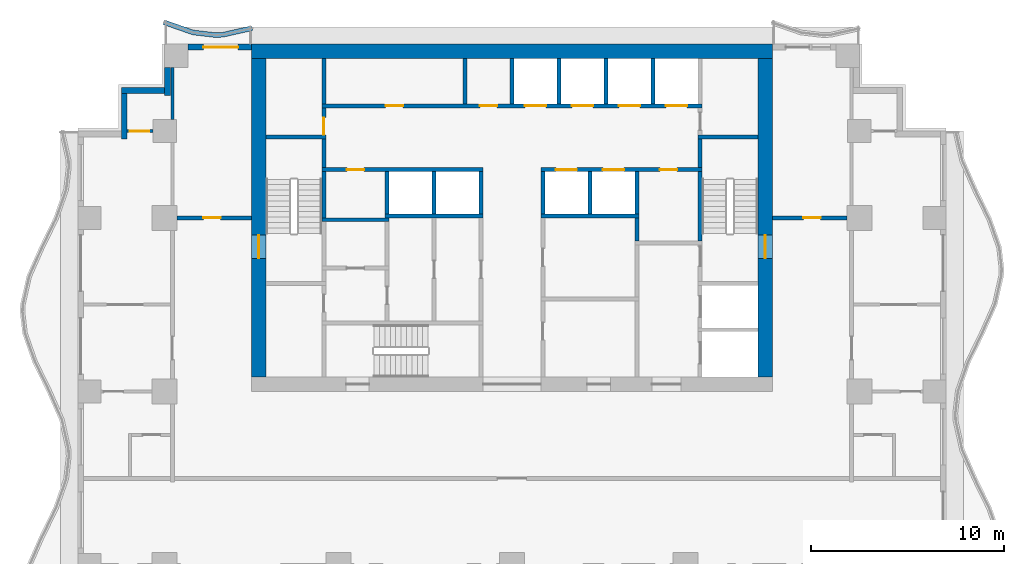
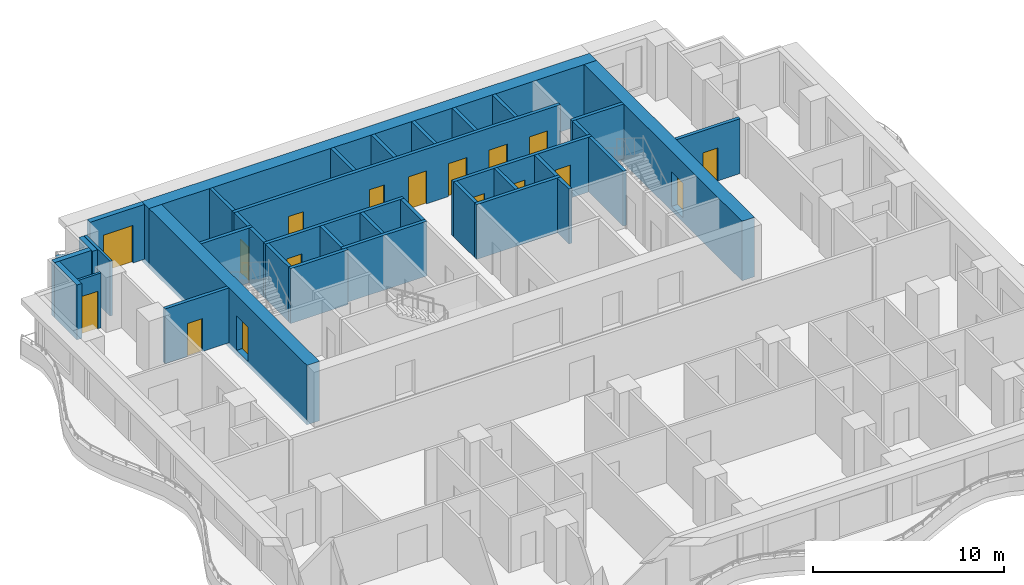
# One storey, part 5 of 10: 38 walls, 17 doors, 17 openings.
"""IFC4 building model written with IfcOpenShell, lengths in metres."""

from ifc_helpers import new_model, si_unit, direction, frame, frame_2d, origin, place, context, subcontext, project, spatial, polyline, rectangle, outline, extrude, material, layer, layer_set, type_object, element, fill, save


model = new_model("IFC4")

# Units and contexts
model_context = context("Model", 3, precision=1e-05, world=origin(), true_north=direction((0.0, 1.0)))
body_context = subcontext(model_context, "Body", "Model", "MODEL_VIEW")
ifc_project = project(units=[si_unit("LENGTHUNIT", "METRE"), si_unit("AREAUNIT", "SQUARE_METRE"), si_unit("VOLUMEUNIT", "CUBIC_METRE"), si_unit("PLANEANGLEUNIT", "RADIAN"), si_unit("MASSUNIT", "GRAM", prefix="KILO")], contexts=[model_context])

# Site, building, storey
site_placement = place(None, origin())
site = spatial("IfcSite", under=ifc_project, at=site_placement, CompositionType="ELEMENT")
building_placement = place(site_placement, origin())
building = spatial("IfcBuilding", under=site, at=building_placement, Name="Orbiselva Terraces", CompositionType="ELEMENT")
storey_placement = place(building_placement, frame((0.0, 0.0, 132.6)))
storey = spatial("IfcBuildingStorey", under=building, at=storey_placement, Name="L33", CompositionType="ELEMENT", Elevation=132.6)

# Wall, opening, door
ifc_material_1 = material(Name="Concrete C80/95", Category="concrete")
ifc_layer_1 = layer(ifc_material_1, 0.75)
ifc_layer_set_1 = layer_set([ifc_layer_1], Name="Concrete C80/95")
wall_type_1 = type_object("IfcWallType", Name="CORE WALL 750", PredefinedType="SHEAR", material=ifc_layer_set_1)
wall_1_placement = place(storey_placement, frame((13.125, 5.25, -0.3), z_axis=(0.0, 0.0, 1.0), x_axis=(0.0, 1.0, 0.0)))
wall_1 = element("IfcWall", 1, at=wall_1_placement, inside=storey, type_object=wall_type_1, Name="Core wall L33 east", PredefinedType="SHEAR", context=body_context, shape_type="SweptSolid", body=[
    extrude(rectangle(XDim=16.5, YDim=0.75, at=frame_2d((8.25, 0.0))), origin(), (0.0, 0.0, 1.0), 3.8),
])
opening_1_placement = place(wall_1_placement, frame((6.15, 0.0, 0.3)))
opening_1 = element("IfcOpeningElement", 2, at=opening_1_placement, cuts=wall_1, Name="Opening DS1200", PredefinedType="OPENING", context=body_context, shape_type="SweptSolid", body=[
    extrude(rectangle(XDim=1.2, YDim=2.2, at=frame_2d((0.6, 1.1))), frame((0.0, 0.385, 0.0), z_axis=(0.0, -1.0, 0.0), x_axis=(1.0, 0.0, 0.0)), (0.0, 0.0, 1.0), 0.77),
])
ifc_material_2 = material(Name="Steel fire door", Category="steel")
door_type_1 = type_object("IfcDoorType", Name="STAIR DOOR 1200", OperationType="NOTDEFINED", PredefinedType="DOOR", material=ifc_material_2)
door_1_placement = place(opening_1_placement, frame((1.2, 0.0, 0.0), z_axis=(0.0, 0.0, 1.0), x_axis=(-1.0, 0.0, 0.0)))
door_1 = element("IfcDoor", 3, at=door_1_placement, inside=storey, type_object=door_type_1, Name="L33 EXIT STAIR S2 door", OperationType="SINGLE_SWING_LEFT", OverallHeight=2.2, OverallWidth=1.2, PredefinedType="DOOR", context=body_context, shape_type="SweptSolid", body=[
    extrude(rectangle(XDim=1.2, YDim=2.2, at=frame_2d((0.6, 1.1))), frame((0.0, 0.025, 0.0), z_axis=(0.0, -1.0, 0.0), x_axis=(1.0, 0.0, 0.0)), (0.0, 0.0, 1.0), 0.05),
])
fill(opening_1, door_1)

wall_2_placement = place(storey_placement, frame((-13.125, 21.75, -0.3), z_axis=(0.0, 0.0, 1.0), x_axis=(0.0, -1.0, 0.0)))
wall_2 = element("IfcWall", 4, at=wall_2_placement, inside=storey, type_object=wall_type_1, Name="Core wall L33 west", PredefinedType="SHEAR", context=body_context, shape_type="SweptSolid", body=[
    extrude(rectangle(XDim=16.5, YDim=0.75, at=frame_2d((8.25, 0.0))), origin(), (0.0, 0.0, 1.0), 3.8),
])
opening_2_placement = place(wall_2_placement, frame((9.15, 0.0, 0.3)))
opening_2 = element("IfcOpeningElement", 5, at=opening_2_placement, cuts=wall_2, Name="Opening DS1200", PredefinedType="OPENING", context=body_context, shape_type="SweptSolid", body=[
    extrude(rectangle(XDim=1.2, YDim=2.2, at=frame_2d((0.6, 1.1))), frame((0.0, 0.385, 0.0), z_axis=(0.0, -1.0, 0.0), x_axis=(1.0, 0.0, 0.0)), (0.0, 0.0, 1.0), 0.77),
])
door_2_placement = place(opening_2_placement, frame((1.2, 0.0, 0.0), z_axis=(0.0, 0.0, 1.0), x_axis=(-1.0, 0.0, 0.0)))
door_2 = element("IfcDoor", 6, at=door_2_placement, inside=storey, type_object=door_type_1, Name="L33 EXIT STAIR S1 door", OperationType="SINGLE_SWING_RIGHT", OverallHeight=2.2, OverallWidth=1.2, PredefinedType="DOOR", context=body_context, shape_type="SweptSolid", body=[
    extrude(rectangle(XDim=1.2, YDim=2.2, at=frame_2d((0.6, 1.1))), frame((0.0, 0.025, 0.0), z_axis=(0.0, -1.0, 0.0), x_axis=(1.0, 0.0, 0.0)), (0.0, 0.0, 1.0), 0.05),
])
fill(opening_2, door_2)

# Wall
ifc_layer_2 = layer(ifc_material_1, 0.75)
ifc_layer_set_2 = layer_set([ifc_layer_2], Name="Concrete C80/95")
wall_type_2 = type_object("IfcWallType", Name="CORE WALL 750 EXTERNAL", PredefinedType="SHEAR", material=ifc_layer_set_2)
wall_3_placement = place(storey_placement, frame((13.5, 22.125, -0.3), z_axis=(0.0, 0.0, 1.0), x_axis=(-1.0, 0.0, 0.0)))
element("IfcWall", 7, at=wall_3_placement, inside=storey, type_object=wall_type_2, Name="Core wall L33 north", PredefinedType="SHEAR", context=body_context, shape_type="SweptSolid", body=[
    extrude(rectangle(XDim=27.0, YDim=0.75, at=frame_2d((13.5, 0.0))), origin(), (0.0, 0.0, 1.0), 3.8),
])

# Wall, opening, door
ifc_material_3 = material(Name="Masonry blockwork", Category="masonry")
ifc_layer_3 = layer(ifc_material_3, 0.2)
ifc_layer_set_3 = layer_set([ifc_layer_3], Name="Masonry blockwork")
wall_type_3 = type_object("IfcWallType", Name="CORE-WALL-PARTITION-200", PredefinedType="PARTITIONING", material=ifc_layer_set_3)
wall_4_placement = place(storey_placement, frame((-9.75, 17.8, 0.0), z_axis=(0.0, 0.0, 1.0), x_axis=(0.0, 1.0, 0.0)))
wall_4 = element("IfcWall", 8, at=wall_4_placement, inside=storey, type_object=wall_type_3, Name="L33 core wall 13", PredefinedType="PARTITIONING", context=body_context, shape_type="SweptSolid", body=[
    extrude(rectangle(XDim=1.4, YDim=0.2, at=frame_2d((0.7, 0.0))), origin(), (0.0, 0.0, 1.0), 3.5),
])
opening_3_placement = place(wall_4_placement, origin())
opening_3 = element("IfcOpeningElement", 9, at=opening_3_placement, cuts=wall_4, Name="Opening DR900", PredefinedType="OPENING", context=body_context, shape_type="SweptSolid", body=[
    extrude(rectangle(XDim=0.9, YDim=2.1, at=frame_2d((0.45, 1.05))), frame((0.0, 0.11, 0.0), z_axis=(0.0, -1.0, 0.0), x_axis=(1.0, 0.0, 0.0)), (0.0, 0.0, 1.0), 0.22),
])
door_type_2 = type_object("IfcDoorType", Name="ROOM DOOR 900", OperationType="NOTDEFINED", PredefinedType="DOOR", material=ifc_material_2)
door_3_placement = place(opening_3_placement, origin())
door_3 = element("IfcDoor", 10, at=door_3_placement, inside=storey, type_object=door_type_2, Name="L33 ELECTRICAL RISER ROOM door", OperationType="SINGLE_SWING_LEFT", OverallHeight=2.1, OverallWidth=0.9, PredefinedType="DOOR", context=body_context, shape_type="SweptSolid", body=[
    extrude(rectangle(XDim=0.9, YDim=2.1, at=frame_2d((0.45, 1.05))), frame((0.0, 0.025, 0.0), z_axis=(0.0, -1.0, 0.0), x_axis=(1.0, 0.0, 0.0)), (0.0, 0.0, 1.0), 0.05),
])
fill(opening_3, door_3)

# Walls
for number, where, z_axis, x_axis, name in (
    (11, (-9.75, 19.4, 0.0), (0.0, 0.0, 1.0), (0.0, 1.0, 0.0), "L33 core wall 15"),
    (12, (-2.4375, 19.4, 0.0), (0.0, 0.0, 1.0), (0.0, 1.0, 0.0), "L33 core wall 22"),
):
    element("IfcWall", number, at=place(storey_placement, frame(where, z_axis=z_axis, x_axis=x_axis)), inside=storey, type_object=wall_type_3, Name=name, PredefinedType="PARTITIONING", context=body_context, shape_type="SweptSolid", body=[
        extrude(rectangle(XDim=2.35, YDim=0.2, at=frame_2d((1.175, 0.0))), origin(), (0.0, 0.0, 1.0), 3.5),
    ])
wall_5_placement = place(storey_placement, frame((6.475, 12.3, 0.0), z_axis=(0.0, 0.0, 1.0), x_axis=(0.0, 1.0, 0.0)))
element("IfcWall", 13, at=wall_5_placement, inside=storey, type_object=wall_type_3, Name="L33 core wall 39", PredefinedType="PARTITIONING", context=body_context, shape_type="SweptSolid", body=[
    extrude(rectangle(XDim=1.2, YDim=0.2, at=frame_2d((0.6, 0.0))), origin(), (0.0, 0.0, 1.0), 3.5),
])
ifc_material_4 = material(Name="Concrete C40/50", Category="concrete")
ifc_layer_4 = layer(ifc_material_4, 0.2)
ifc_layer_set_4 = layer_set([ifc_layer_4], Name="Concrete C40/50")
wall_type_4 = type_object("IfcWallType", Name="CORE-WALL-SHAFT-200", PredefinedType="PARTITIONING", material=ifc_layer_set_4)
for number, where, z_axis, x_axis, name in (
    (14, (-6.475, 13.7, 0.0), (0.0, 0.0, 1.0), (0.0, 1.0, 0.0), "L33 core wall 19"),
    (15, (-4.0375, 13.7, 0.0), (0.0, 0.0, 1.0), (0.0, 1.0, 0.0), "L33 core wall 21"),
    (16, (-1.6, 13.7, 0.0), (0.0, 0.0, 1.0), (0.0, 1.0, 0.0), "L33 core wall 25"),
):
    element("IfcWall", number, at=place(storey_placement, frame(where, z_axis=z_axis, x_axis=x_axis)), inside=storey, type_object=wall_type_4, Name=name, PredefinedType="PARTITIONING", context=body_context, shape_type="SweptSolid", body=[
        extrude(rectangle(XDim=2.2, YDim=0.2, at=frame_2d((1.1, 0.0))), origin(), (0.0, 0.0, 1.0), 3.5),
    ])
wall_6_placement = place(storey_placement, frame((0.0, 19.4, 0.0), z_axis=(0.0, 0.0, 1.0), x_axis=(0.0, 1.0, 0.0)))
element("IfcWall", 17, at=wall_6_placement, inside=storey, type_object=wall_type_4, Name="L33 core wall 26", PredefinedType="PARTITIONING", context=body_context, shape_type="SweptSolid", body=[
    extrude(rectangle(XDim=2.35, YDim=0.2, at=frame_2d((1.175, 0.0))), origin(), (0.0, 0.0, 1.0), 3.5),
])
wall_7_placement = place(storey_placement, frame((1.6, 13.7, 0.0), z_axis=(0.0, 0.0, 1.0), x_axis=(0.0, 1.0, 0.0)))
element("IfcWall", 18, at=wall_7_placement, inside=storey, type_object=wall_type_4, Name="L33 core wall 31", PredefinedType="PARTITIONING", context=body_context, shape_type="SweptSolid", body=[
    extrude(rectangle(XDim=2.2, YDim=0.2, at=frame_2d((1.1, 0.0))), origin(), (0.0, 0.0, 1.0), 3.5),
])
wall_8_placement = place(storey_placement, frame((2.4375, 19.4, 0.0), z_axis=(0.0, 0.0, 1.0), x_axis=(0.0, 1.0, 0.0)))
element("IfcWall", 19, at=wall_8_placement, inside=storey, type_object=wall_type_4, Name="L33 core wall 33", PredefinedType="PARTITIONING", context=body_context, shape_type="SweptSolid", body=[
    extrude(rectangle(XDim=2.35, YDim=0.2, at=frame_2d((1.175, 0.0))), origin(), (0.0, 0.0, 1.0), 3.5),
])
wall_9_placement = place(storey_placement, frame((4.0375, 13.7, 0.0), z_axis=(0.0, 0.0, 1.0), x_axis=(0.0, 1.0, 0.0)))
element("IfcWall", 20, at=wall_9_placement, inside=storey, type_object=wall_type_4, Name="L33 core wall 34", PredefinedType="PARTITIONING", context=body_context, shape_type="SweptSolid", body=[
    extrude(rectangle(XDim=2.2, YDim=0.2, at=frame_2d((1.1, 0.0))), origin(), (0.0, 0.0, 1.0), 3.5),
])
wall_10_placement = place(storey_placement, frame((4.875, 19.4, 0.0), z_axis=(0.0, 0.0, 1.0), x_axis=(0.0, 1.0, 0.0)))
element("IfcWall", 21, at=wall_10_placement, inside=storey, type_object=wall_type_4, Name="L33 core wall 35", PredefinedType="PARTITIONING", context=body_context, shape_type="SweptSolid", body=[
    extrude(rectangle(XDim=2.35, YDim=0.2, at=frame_2d((1.175, 0.0))), origin(), (0.0, 0.0, 1.0), 3.5),
])
wall_11_placement = place(storey_placement, frame((6.475, 13.7, 0.0), z_axis=(0.0, 0.0, 1.0), x_axis=(0.0, 1.0, 0.0)))
element("IfcWall", 22, at=wall_11_placement, inside=storey, type_object=wall_type_4, Name="L33 core wall 40", PredefinedType="PARTITIONING", context=body_context, shape_type="SweptSolid", body=[
    extrude(rectangle(XDim=2.2, YDim=0.2, at=frame_2d((1.1, 0.0))), origin(), (0.0, 0.0, 1.0), 3.5),
])
wall_12_placement = place(storey_placement, frame((7.3125, 19.4, 0.0), z_axis=(0.0, 0.0, 1.0), x_axis=(0.0, 1.0, 0.0)))
element("IfcWall", 23, at=wall_12_placement, inside=storey, type_object=wall_type_4, Name="L33 core wall 41", PredefinedType="PARTITIONING", context=body_context, shape_type="SweptSolid", body=[
    extrude(rectangle(XDim=2.35, YDim=0.2, at=frame_2d((1.175, 0.0))), origin(), (0.0, 0.0, 1.0), 3.5),
])
ifc_material_5 = material(Name="Concrete C60/75", Category="concrete")
ifc_layer_5 = layer(ifc_material_5, 0.2)
ifc_layer_set_5 = layer_set([ifc_layer_5], Name="Concrete C60/75")
wall_type_5 = type_object("IfcWallType", Name="CORE-WALL-SHEAR-200", PredefinedType="SHEAR", material=ifc_layer_set_5)
wall_13_placement = place(storey_placement, frame((-12.75, 17.7, 0.0), z_axis=(0.0, 0.0, 1.0), x_axis=(1.0, 0.0, 0.0)))
element("IfcWall", 24, at=wall_13_placement, inside=storey, type_object=wall_type_5, Name="L33 core wall 02", PredefinedType="SHEAR", context=body_context, shape_type="SweptSolid", body=[
    extrude(rectangle(XDim=3.1, YDim=0.2, at=frame_2d((1.55, 0.0))), origin(), (0.0, 0.0, 1.0), 3.5),
])
wall_14_placement = place(storey_placement, frame((-9.85, 13.4, 0.0), z_axis=(0.0, 0.0, 1.0), x_axis=(1.0, 0.0, 0.0)))
element("IfcWall", 25, at=wall_14_placement, inside=storey, type_object=wall_type_5, Name="L33 core wall 09", PredefinedType="SHEAR", context=body_context, shape_type="SweptSolid", body=[
    extrude(rectangle(XDim=3.475, YDim=0.2, at=frame_2d((1.7375, 0.0))), origin(), (0.0, 0.0, 1.0), 3.5),
])
wall_15_placement = place(storey_placement, frame((-9.75, 13.5, 0.0), z_axis=(0.0, 0.0, 1.0), x_axis=(0.0, 1.0, 0.0)))
element("IfcWall", 26, at=wall_15_placement, inside=storey, type_object=wall_type_5, Name="L33 core wall 10", PredefinedType="SHEAR", context=body_context, shape_type="SweptSolid", body=[
    extrude(rectangle(XDim=2.4, YDim=0.2, at=frame_2d((1.2, 0.0))), origin(), (0.0, 0.0, 1.0), 3.5),
])

# Wall, opening, door
wall_16_placement = place(storey_placement, frame((-1.5, 16.0, 0.0), z_axis=(0.0, 0.0, 1.0), x_axis=(-1.0, 0.0, 0.0)))
wall_16 = element("IfcWall", 27, at=wall_16_placement, inside=storey, type_object=wall_type_5, Name="L33 core wall 11", PredefinedType="SHEAR", context=body_context, shape_type="SweptSolid", body=[
    extrude(rectangle(XDim=8.35, YDim=0.2, at=frame_2d((4.175, 0.0))), origin(), (0.0, 0.0, 1.0), 3.5),
])
opening_4_placement = place(wall_16_placement, frame((6.1625, 0.0, 0.0)))
opening_4 = element("IfcOpeningElement", 28, at=opening_4_placement, cuts=wall_16, Name="Opening DR900", PredefinedType="OPENING", context=body_context, shape_type="SweptSolid", body=[
    extrude(rectangle(XDim=0.9, YDim=2.1, at=frame_2d((0.45, 1.05))), frame((0.0, 0.11, 0.0), z_axis=(0.0, -1.0, 0.0), x_axis=(1.0, 0.0, 0.0)), (0.0, 0.0, 1.0), 0.22),
])
door_4_placement = place(opening_4_placement, origin())
door_4 = element("IfcDoor", 29, at=door_4_placement, inside=storey, type_object=door_type_2, Name="L33 STAFF PANTRY door", OperationType="SINGLE_SWING_RIGHT", OverallHeight=2.1, OverallWidth=0.9, PredefinedType="DOOR", context=body_context, shape_type="SweptSolid", body=[
    extrude(rectangle(XDim=0.9, YDim=2.1, at=frame_2d((0.45, 1.05))), frame((0.0, 0.025, 0.0), z_axis=(0.0, -1.0, 0.0), x_axis=(1.0, 0.0, 0.0)), (0.0, 0.0, 1.0), 0.05),
])
fill(opening_4, door_4)

# Wall
wall_17_placement = place(storey_placement, frame((-9.75, 16.1, 0.0), z_axis=(0.0, 0.0, 1.0), x_axis=(0.0, 1.0, 0.0)))
element("IfcWall", 30, at=wall_17_placement, inside=storey, type_object=wall_type_5, Name="L33 core wall 12", PredefinedType="SHEAR", context=body_context, shape_type="SweptSolid", body=[
    extrude(rectangle(XDim=1.5, YDim=0.2, at=frame_2d((0.75, 0.0))), origin(), (0.0, 0.0, 1.0), 3.5),
])

# Wall, openings, doors
wall_18_placement = place(storey_placement, frame((-9.85, 19.3, 0.0), z_axis=(0.0, 0.0, 1.0), x_axis=(1.0, 0.0, 0.0)))
wall_18 = element("IfcWall", 31, at=wall_18_placement, inside=storey, type_object=wall_type_5, Name="L33 core wall 14", PredefinedType="SHEAR", context=body_context, shape_type="SweptSolid", body=[
    extrude(rectangle(XDim=19.7, YDim=0.2, at=frame_2d((9.85, 0.0))), origin(), (0.0, 0.0, 1.0), 3.5),
])
opening_5_placement = place(wall_18_placement, frame((10.51875, 0.0, 0.0)))
opening_5 = element("IfcOpeningElement", 32, at=opening_5_placement, cuts=wall_18, Name="Opening LD-HR1", PredefinedType="OPENING", context=body_context, shape_type="SweptSolid", body=[
    extrude(rectangle(XDim=1.1, YDim=2.1, at=frame_2d((0.55, 1.05))), frame((0.0, 0.11, 0.0), z_axis=(0.0, -1.0, 0.0), x_axis=(1.0, 0.0, 0.0)), (0.0, 0.0, 1.0), 0.22),
])
opening_6_placement = place(wall_18_placement, frame((12.95625, 0.0, 0.0)))
opening_6 = element("IfcOpeningElement", 33, at=opening_6_placement, cuts=wall_18, Name="Opening LD-HR2", PredefinedType="OPENING", context=body_context, shape_type="SweptSolid", body=[
    extrude(rectangle(XDim=1.1, YDim=2.1, at=frame_2d((0.55, 1.05))), frame((0.0, 0.11, 0.0), z_axis=(0.0, -1.0, 0.0), x_axis=(1.0, 0.0, 0.0)), (0.0, 0.0, 1.0), 0.22),
])
opening_7_placement = place(wall_18_placement, frame((15.39375, 0.0, 0.0)))
opening_7 = element("IfcOpeningElement", 34, at=opening_7_placement, cuts=wall_18, Name="Opening LD-HR3", PredefinedType="OPENING", context=body_context, shape_type="SweptSolid", body=[
    extrude(rectangle(XDim=1.1, YDim=2.1, at=frame_2d((0.55, 1.05))), frame((0.0, 0.11, 0.0), z_axis=(0.0, -1.0, 0.0), x_axis=(1.0, 0.0, 0.0)), (0.0, 0.0, 1.0), 0.22),
])
opening_8_placement = place(wall_18_placement, frame((17.83125, 0.0, 0.0)))
opening_8 = element("IfcOpeningElement", 35, at=opening_8_placement, cuts=wall_18, Name="Opening LD-HR4", PredefinedType="OPENING", context=body_context, shape_type="SweptSolid", body=[
    extrude(rectangle(XDim=1.1, YDim=2.1, at=frame_2d((0.55, 1.05))), frame((0.0, 0.11, 0.0), z_axis=(0.0, -1.0, 0.0), x_axis=(1.0, 0.0, 0.0)), (0.0, 0.0, 1.0), 0.22),
])
opening_9_placement = place(wall_18_placement, frame((3.3062, 0.0, 0.0)))
opening_9 = element("IfcOpeningElement", 36, at=opening_9_placement, cuts=wall_18, Name="Opening DR900", PredefinedType="OPENING", context=body_context, shape_type="SweptSolid", body=[
    extrude(rectangle(XDim=0.9, YDim=2.1, at=frame_2d((0.45, 1.05))), frame((0.0, 0.11, 0.0), z_axis=(0.0, -1.0, 0.0), x_axis=(1.0, 0.0, 0.0)), (0.0, 0.0, 1.0), 0.22),
])
opening_10_placement = place(wall_18_placement, frame((8.1812, 0.0, 0.0)))
opening_10 = element("IfcOpeningElement", 37, at=opening_10_placement, cuts=wall_18, Name="Opening DR900", PredefinedType="OPENING", context=body_context, shape_type="SweptSolid", body=[
    extrude(rectangle(XDim=0.9, YDim=2.1, at=frame_2d((0.45, 1.05))), frame((0.0, 0.11, 0.0), z_axis=(0.0, -1.0, 0.0), x_axis=(1.0, 0.0, 0.0)), (0.0, 0.0, 1.0), 0.22),
])
ifc_material_6 = material(Name="Stainless steel landing door", Category="steel")
door_type_3 = type_object("IfcDoorType", Name="LANDING DOOR 1100", OperationType="SLIDING_TO_LEFT", PredefinedType="DOOR", material=ifc_material_6)
door_5_placement = place(opening_5_placement, origin())
door_5 = element("IfcDoor", 38, at=door_5_placement, inside=storey, type_object=door_type_3, Name="L33 landing door HR1", OperationType="SLIDING_TO_RIGHT", OverallHeight=2.1, OverallWidth=1.1, PredefinedType="DOOR", context=body_context, shape_type="SweptSolid", body=[
    extrude(rectangle(XDim=1.1, YDim=2.1, at=frame_2d((0.55, 1.05))), frame((0.0, 0.025, 0.0), z_axis=(0.0, -1.0, 0.0), x_axis=(1.0, 0.0, 0.0)), (0.0, 0.0, 1.0), 0.05),
])
fill(opening_5, door_5)
door_6_placement = place(opening_6_placement, origin())
door_6 = element("IfcDoor", 39, at=door_6_placement, inside=storey, type_object=door_type_3, Name="L33 landing door HR2", OperationType="SLIDING_TO_RIGHT", OverallHeight=2.1, OverallWidth=1.1, PredefinedType="DOOR", context=body_context, shape_type="SweptSolid", body=[
    extrude(rectangle(XDim=1.1, YDim=2.1, at=frame_2d((0.55, 1.05))), frame((0.0, 0.025, 0.0), z_axis=(0.0, -1.0, 0.0), x_axis=(1.0, 0.0, 0.0)), (0.0, 0.0, 1.0), 0.05),
])
fill(opening_6, door_6)
door_7_placement = place(opening_7_placement, origin())
door_7 = element("IfcDoor", 40, at=door_7_placement, inside=storey, type_object=door_type_3, Name="L33 landing door HR3", OperationType="SLIDING_TO_RIGHT", OverallHeight=2.1, OverallWidth=1.1, PredefinedType="DOOR", context=body_context, shape_type="SweptSolid", body=[
    extrude(rectangle(XDim=1.1, YDim=2.1, at=frame_2d((0.55, 1.05))), frame((0.0, 0.025, 0.0), z_axis=(0.0, -1.0, 0.0), x_axis=(1.0, 0.0, 0.0)), (0.0, 0.0, 1.0), 0.05),
])
fill(opening_7, door_7)
door_8_placement = place(opening_8_placement, origin())
door_8 = element("IfcDoor", 41, at=door_8_placement, inside=storey, type_object=door_type_3, Name="L33 landing door HR4", OperationType="SLIDING_TO_RIGHT", OverallHeight=2.1, OverallWidth=1.1, PredefinedType="DOOR", context=body_context, shape_type="SweptSolid", body=[
    extrude(rectangle(XDim=1.1, YDim=2.1, at=frame_2d((0.55, 1.05))), frame((0.0, 0.025, 0.0), z_axis=(0.0, -1.0, 0.0), x_axis=(1.0, 0.0, 0.0)), (0.0, 0.0, 1.0), 0.05),
])
fill(opening_8, door_8)
door_9_placement = place(opening_9_placement, origin())
door_9 = element("IfcDoor", 42, at=door_9_placement, inside=storey, type_object=door_type_2, Name="L33 SERVICE LOUNGE door", OperationType="SINGLE_SWING_LEFT", OverallHeight=2.1, OverallWidth=0.9, PredefinedType="DOOR", context=body_context, shape_type="SweptSolid", body=[
    extrude(rectangle(XDim=0.9, YDim=2.1, at=frame_2d((0.45, 1.05))), frame((0.0, 0.025, 0.0), z_axis=(0.0, -1.0, 0.0), x_axis=(1.0, 0.0, 0.0)), (0.0, 0.0, 1.0), 0.05),
])
fill(opening_9, door_9)
door_10_placement = place(opening_10_placement, origin())
door_10 = element("IfcDoor", 43, at=door_10_placement, inside=storey, type_object=door_type_2, Name="L33 STAFF WC door", OperationType="SINGLE_SWING_LEFT", OverallHeight=2.1, OverallWidth=0.9, PredefinedType="DOOR", context=body_context, shape_type="SweptSolid", body=[
    extrude(rectangle(XDim=0.9, YDim=2.1, at=frame_2d((0.45, 1.05))), frame((0.0, 0.025, 0.0), z_axis=(0.0, -1.0, 0.0), x_axis=(1.0, 0.0, 0.0)), (0.0, 0.0, 1.0), 0.05),
])
fill(opening_10, door_10)

# Walls
for number, where, z_axis, x_axis, name in (
    (44, (-6.575, 13.6, 0.0), (0.0, 0.0, 1.0), (1.0, 0.0, 0.0), "L33 core wall 18"),
    (45, (1.5, 13.6, 0.0), (0.0, 0.0, 1.0), (1.0, 0.0, 0.0), "L33 core wall 30"),
):
    element("IfcWall", number, at=place(storey_placement, frame(where, z_axis=z_axis, x_axis=x_axis)), inside=storey, type_object=wall_type_5, Name=name, PredefinedType="SHEAR", context=body_context, shape_type="SweptSolid", body=[
        extrude(rectangle(XDim=5.075, YDim=0.2, at=frame_2d((2.5375, 0.0))), origin(), (0.0, 0.0, 1.0), 3.5),
    ])

# Wall, openings, doors
wall_19_placement = place(storey_placement, frame((9.85, 16.0, 0.0), z_axis=(0.0, 0.0, 1.0), x_axis=(-1.0, 0.0, 0.0)))
wall_19 = element("IfcWall", 46, at=wall_19_placement, inside=storey, type_object=wall_type_5, Name="L33 core wall 32", PredefinedType="SHEAR", context=body_context, shape_type="SweptSolid", body=[
    extrude(rectangle(XDim=8.35, YDim=0.2, at=frame_2d((4.175, 0.0))), origin(), (0.0, 0.0, 1.0), 3.5),
])
opening_11_placement = place(wall_19_placement, frame((6.48125, 0.0, 0.0)))
opening_11 = element("IfcOpeningElement", 47, at=opening_11_placement, cuts=wall_19, Name="Opening LD-HR5", PredefinedType="OPENING", context=body_context, shape_type="SweptSolid", body=[
    extrude(rectangle(XDim=1.1, YDim=2.1, at=frame_2d((0.55, 1.05))), frame((0.0, 0.11, 0.0), z_axis=(0.0, -1.0, 0.0), x_axis=(1.0, 0.0, 0.0)), (0.0, 0.0, 1.0), 0.22),
])
opening_12_placement = place(wall_19_placement, frame((4.04375, 0.0, 0.0)))
opening_12 = element("IfcOpeningElement", 48, at=opening_12_placement, cuts=wall_19, Name="Opening LD-HR6", PredefinedType="OPENING", context=body_context, shape_type="SweptSolid", body=[
    extrude(rectangle(XDim=1.1, YDim=2.1, at=frame_2d((0.55, 1.05))), frame((0.0, 0.11, 0.0), z_axis=(0.0, -1.0, 0.0), x_axis=(1.0, 0.0, 0.0)), (0.0, 0.0, 1.0), 0.22),
])
opening_13_placement = place(wall_19_placement, frame((1.2875, 0.0, 0.0)))
opening_13 = element("IfcOpeningElement", 49, at=opening_13_placement, cuts=wall_19, Name="Opening DR900", PredefinedType="OPENING", context=body_context, shape_type="SweptSolid", body=[
    extrude(rectangle(XDim=0.9, YDim=2.1, at=frame_2d((0.45, 1.05))), frame((0.0, 0.11, 0.0), z_axis=(0.0, -1.0, 0.0), x_axis=(1.0, 0.0, 0.0)), (0.0, 0.0, 1.0), 0.22),
])
door_11_placement = place(opening_11_placement, origin())
door_11 = element("IfcDoor", 50, at=door_11_placement, inside=storey, type_object=door_type_3, Name="L33 landing door HR5", OperationType="SLIDING_TO_RIGHT", OverallHeight=2.1, OverallWidth=1.1, PredefinedType="DOOR", context=body_context, shape_type="SweptSolid", body=[
    extrude(rectangle(XDim=1.1, YDim=2.1, at=frame_2d((0.55, 1.05))), frame((0.0, 0.025, 0.0), z_axis=(0.0, -1.0, 0.0), x_axis=(1.0, 0.0, 0.0)), (0.0, 0.0, 1.0), 0.05),
])
fill(opening_11, door_11)
door_12_placement = place(opening_12_placement, origin())
door_12 = element("IfcDoor", 51, at=door_12_placement, inside=storey, type_object=door_type_3, Name="L33 landing door HR6", OperationType="SLIDING_TO_RIGHT", OverallHeight=2.1, OverallWidth=1.1, PredefinedType="DOOR", context=body_context, shape_type="SweptSolid", body=[
    extrude(rectangle(XDim=1.1, YDim=2.1, at=frame_2d((0.55, 1.05))), frame((0.0, 0.025, 0.0), z_axis=(0.0, -1.0, 0.0), x_axis=(1.0, 0.0, 0.0)), (0.0, 0.0, 1.0), 0.05),
])
fill(opening_12, door_12)
door_13_placement = place(opening_13_placement, origin())
door_13 = element("IfcDoor", 52, at=door_13_placement, inside=storey, type_object=door_type_2, Name="L33 PIPE RISER ROOM door", OperationType="SINGLE_SWING_LEFT", OverallHeight=2.1, OverallWidth=0.9, PredefinedType="DOOR", context=body_context, shape_type="SweptSolid", body=[
    extrude(rectangle(XDim=0.9, YDim=2.1, at=frame_2d((0.45, 1.05))), frame((0.0, 0.025, 0.0), z_axis=(0.0, -1.0, 0.0), x_axis=(1.0, 0.0, 0.0)), (0.0, 0.0, 1.0), 0.05),
])
fill(opening_13, door_13)

# Walls
wall_20_placement = place(storey_placement, frame((9.75, 12.3, 0.0), z_axis=(0.0, 0.0, 1.0), x_axis=(0.0, 1.0, 0.0)))
element("IfcWall", 53, at=wall_20_placement, inside=storey, type_object=wall_type_5, Name="L33 core wall 47", PredefinedType="SHEAR", context=body_context, shape_type="SweptSolid", body=[
    extrude(rectangle(XDim=3.6, YDim=0.2, at=frame_2d((1.8, 0.0))), origin(), (0.0, 0.0, 1.0), 3.5),
])
wall_21_placement = place(storey_placement, frame((9.75, 16.1, 0.0), z_axis=(0.0, 0.0, 1.0), x_axis=(0.0, 1.0, 0.0)))
element("IfcWall", 54, at=wall_21_placement, inside=storey, type_object=wall_type_5, Name="L33 core wall 48", PredefinedType="SHEAR", context=body_context, shape_type="SweptSolid", body=[
    extrude(rectangle(XDim=1.5, YDim=0.2, at=frame_2d((0.75, 0.0))), origin(), (0.0, 0.0, 1.0), 3.5),
])
wall_22_placement = place(storey_placement, frame((9.65, 17.7, 0.0), z_axis=(0.0, 0.0, 1.0), x_axis=(1.0, 0.0, 0.0)))
element("IfcWall", 55, at=wall_22_placement, inside=storey, type_object=wall_type_5, Name="L33 core wall 49", PredefinedType="SHEAR", context=body_context, shape_type="SweptSolid", body=[
    extrude(rectangle(XDim=3.1, YDim=0.2, at=frame_2d((1.55, 0.0))), origin(), (0.0, 0.0, 1.0), 3.5),
])
ifc_layer_6 = layer(ifc_material_4, 0.25)
ifc_layer_set_6 = layer_set([ifc_layer_6], Name="Concrete C40/50")
wall_type_6 = type_object("IfcWallType", Name="ENV-PLANTER-250x900", PredefinedType="USERDEFINED", material=ifc_layer_set_6)
wall_23_placement = place(storey_placement, origin())
element("IfcWall", 56, at=wall_23_placement, inside=storey, type_object=wall_type_6, Name="Balcony planter L33 NW", ObjectType="PLANTER", PredefinedType="USERDEFINED", context=body_context, shape_type="SweptSolid", body=[
    extrude(outline(polyline([(-13.5, 23.451472), (-15.0, 23.114774), (-15.375, 23.1), (-16.5, 23.230792), (-18.0, 23.755211), (-18.082506, 23.519218), (-16.556371, 22.985662), (-15.384572, 22.849429), (-14.967435, 22.865863), (-13.445246, 23.207542), (-13.5, 23.451472)])), origin(), (0.0, 0.0, 1.0), 0.9),
])

# Wall, opening, door
ifc_material_7 = material(Name="Terracotta cladding on masonry backing", Category="masonry")
ifc_layer_7 = layer(ifc_material_7, 0.3)
ifc_layer_set_7 = layer_set([ifc_layer_7], Name="Terracotta cladding on masonry backing")
wall_type_7 = type_object("IfcWallType", Name="ENV-WALL-TERRACOTTA-300", PredefinedType="SOLIDWALL", material=ifc_layer_set_7)
wall_24_placement = place(storey_placement, frame((-16.8, 22.35, 0.0), z_axis=(0.0, 0.0, 1.0), x_axis=(1.0, 0.0, 0.0)))
wall_24 = element("IfcWall", 57, at=wall_24_placement, inside=storey, type_object=wall_type_7, Name="Facade wall L33 NW", PredefinedType="SOLIDWALL", context=body_context, shape_type="SweptSolid", body=[
    extrude(rectangle(XDim=3.3, YDim=0.3, at=frame_2d((1.65, 0.0))), origin(), (0.0, 0.0, 1.0), 3.5),
])
opening_14_placement = place(wall_24_placement, frame((0.8, 0.0, 0.0)))
opening_14 = element("IfcOpeningElement", 58, at=opening_14_placement, cuts=wall_24, Name="Opening Z3-A-E08", PredefinedType="OPENING", context=body_context, shape_type="SweptSolid", body=[
    extrude(rectangle(XDim=1.8, YDim=2.4, at=frame_2d((0.9, 1.2))), frame((0.0, 0.16, 0.0), z_axis=(0.0, -1.0, 0.0), x_axis=(1.0, 0.0, 0.0)), (0.0, 0.0, 1.0), 0.32),
])
ifc_material_8 = material(Name="Clear low-e glazing in aluminium frame", Category="aluminium")
door_type_4 = type_object("IfcDoorType", Name="BALCONY DOOR 1800 X 2400", OperationType="DOUBLE_DOOR_SLIDING", PredefinedType="DOOR", material=ifc_material_8)
door_14_placement = place(opening_14_placement, origin())
door_14 = element("IfcDoor", 59, at=door_14_placement, inside=storey, type_object=door_type_4, Name="Z3-A-E08", OperationType="SINGLE_SWING_LEFT", OverallHeight=2.4, OverallWidth=1.8, PredefinedType="DOOR", context=body_context, shape_type="SweptSolid", body=[
    extrude(rectangle(XDim=1.8, YDim=2.4, at=frame_2d((0.9, 1.2))), frame((0.0, 0.025, 0.0), z_axis=(0.0, -1.0, 0.0), x_axis=(1.0, 0.0, 0.0)), (0.0, 0.0, 1.0), 0.05),
])
fill(opening_14, door_14)

# Walls
wall_25_placement = place(storey_placement, frame((-17.85, 19.85, 0.0), z_axis=(0.0, 0.0, 1.0), x_axis=(0.0, 1.0, 0.0)))
element("IfcWall", 60, at=wall_25_placement, inside=storey, type_object=wall_type_7, Name="Facade wall L33 STEP", PredefinedType="SOLIDWALL", context=body_context, shape_type="SweptSolid", body=[
    extrude(rectangle(XDim=1.45, YDim=0.3, at=frame_2d((0.725, 0.0))), origin(), (0.0, 0.0, 1.0), 3.5),
])
wall_26_placement = place(storey_placement, frame((-20.25, 20.1, 0.0), z_axis=(0.0, 0.0, 1.0), x_axis=(1.0, 0.0, 0.0)))
element("IfcWall", 61, at=wall_26_placement, inside=storey, type_object=wall_type_7, Name="Facade wall L33 STEP", PredefinedType="SOLIDWALL", context=body_context, shape_type="SweptSolid", body=[
    extrude(rectangle(XDim=2.25, YDim=0.3, at=frame_2d((1.125, 0.0))), origin(), (0.0, 0.0, 1.0), 3.5),
])
wall_27_placement = place(storey_placement, frame((-20.1, 17.6, 0.0), z_axis=(0.0, 0.0, 1.0), x_axis=(0.0, 1.0, 0.0)))
element("IfcWall", 62, at=wall_27_placement, inside=storey, type_object=wall_type_7, Name="Facade wall L33 STEP", PredefinedType="SOLIDWALL", context=body_context, shape_type="SweptSolid", body=[
    extrude(rectangle(XDim=2.35, YDim=0.3, at=frame_2d((1.175, 0.0))), origin(), (0.0, 0.0, 1.0), 3.5),
])

# Wall, opening, door
ifc_material_9 = material(Name="Plasterboard on steel stud partition", Category="steel")
ifc_layer_8 = layer(ifc_material_9, 0.2)
ifc_layer_set_8 = layer_set([ifc_layer_8], Name="Plasterboard on steel stud partition")
wall_type_8 = type_object("IfcWallType", Name="UNIT-ENTRANCE-WALL-200", PredefinedType="PARTITIONING", material=ifc_layer_set_8)
wall_28_placement = place(storey_placement, frame((-17.35, 13.5, 0.0), z_axis=(0.0, 0.0, 1.0), x_axis=(1.0, 0.0, 0.0)))
wall_28 = element("IfcWall", 63, at=wall_28_placement, inside=storey, type_object=wall_type_8, Name="PARTITION L33-031", PredefinedType="PARTITIONING", context=body_context, shape_type="SweptSolid", body=[
    extrude(rectangle(XDim=3.85, YDim=0.2, at=frame_2d((1.925, 0.0))), origin(), (0.0, 0.0, 1.0), 3.5),
])
opening_15_placement = place(wall_28_placement, frame((1.35, 0.0, 0.0)))
opening_15 = element("IfcOpeningElement", 64, at=opening_15_placement, cuts=wall_28, Name="Opening Z3-A-01", PredefinedType="OPENING", context=body_context, shape_type="SweptSolid", body=[
    extrude(rectangle(XDim=0.9, YDim=2.1, at=frame_2d((0.45, 1.05))), frame((0.0, 0.11, 0.0), z_axis=(0.0, -1.0, 0.0), x_axis=(1.0, 0.0, 0.0)), (0.0, 0.0, 1.0), 0.22),
])
ifc_material_10 = material(Name="Painted timber door leaf", Category="wood")
door_type_5 = type_object("IfcDoorType", Name="SERVICE DOOR 900", OperationType="NOTDEFINED", PredefinedType="DOOR", material=ifc_material_10)
door_15_placement = place(opening_15_placement, origin())
door_15 = element("IfcDoor", 65, at=door_15_placement, inside=storey, type_object=door_type_5, Name="Z3-A-01", OperationType="SINGLE_SWING_LEFT", OverallHeight=2.1, OverallWidth=0.9, PredefinedType="DOOR", context=body_context, shape_type="SweptSolid", body=[
    extrude(rectangle(XDim=0.9, YDim=2.1, at=frame_2d((0.45, 1.05))), frame((0.0, 0.025, 0.0), z_axis=(0.0, -1.0, 0.0), x_axis=(1.0, 0.0, 0.0)), (0.0, 0.0, 1.0), 0.05),
])
fill(opening_15, door_15)

wall_29_placement = place(storey_placement, frame((13.5, 13.5, 0.0), z_axis=(0.0, 0.0, 1.0), x_axis=(1.0, 0.0, 0.0)))
wall_29 = element("IfcWall", 66, at=wall_29_placement, inside=storey, type_object=wall_type_8, Name="PARTITION L33-032", PredefinedType="PARTITIONING", context=body_context, shape_type="SweptSolid", body=[
    extrude(rectangle(XDim=3.85, YDim=0.2, at=frame_2d((1.925, 0.0))), origin(), (0.0, 0.0, 1.0), 3.5),
])
opening_16_placement = place(wall_29_placement, frame((1.6, 0.0, 0.0)))
opening_16 = element("IfcOpeningElement", 67, at=opening_16_placement, cuts=wall_29, Name="Opening Z3-A-02", PredefinedType="OPENING", context=body_context, shape_type="SweptSolid", body=[
    extrude(rectangle(XDim=0.9, YDim=2.1, at=frame_2d((0.45, 1.05))), frame((0.0, 0.11, 0.0), z_axis=(0.0, -1.0, 0.0), x_axis=(1.0, 0.0, 0.0)), (0.0, 0.0, 1.0), 0.22),
])
door_16_placement = place(opening_16_placement, origin())
door_16 = element("IfcDoor", 68, at=door_16_placement, inside=storey, type_object=door_type_5, Name="Z3-A-02", OperationType="SINGLE_SWING_RIGHT", OverallHeight=2.1, OverallWidth=0.9, PredefinedType="DOOR", context=body_context, shape_type="SweptSolid", body=[
    extrude(rectangle(XDim=0.9, YDim=2.1, at=frame_2d((0.45, 1.05))), frame((0.0, 0.025, 0.0), z_axis=(0.0, -1.0, 0.0), x_axis=(1.0, 0.0, 0.0)), (0.0, 0.0, 1.0), 0.05),
])
fill(opening_16, door_16)

ifc_layer_9 = layer(ifc_material_9, 0.15)
ifc_layer_set_9 = layer_set([ifc_layer_9], Name="Plasterboard on steel stud partition")
wall_type_9 = type_object("IfcWallType", Name="UNIT-PARTITION-150", PredefinedType="PARTITIONING", material=ifc_layer_set_9)
wall_30_placement = place(storey_placement, frame((-19.95, 18.0, 0.0), z_axis=(0.0, 0.0, 1.0), x_axis=(1.0, 0.0, 0.0)))
wall_30 = element("IfcWall", 69, at=wall_30_placement, inside=storey, type_object=wall_type_9, Name="PARTITION L33-033", PredefinedType="PARTITIONING", context=body_context, shape_type="SweptSolid", body=[
    extrude(rectangle(XDim=1.35, YDim=0.15, at=frame_2d((0.675, 0.0))), origin(), (0.0, 0.0, 1.0), 3.5),
])
opening_17_placement = place(wall_30_placement, frame((0.15, 0.0, 0.0)))
opening_17 = element("IfcOpeningElement", 70, at=opening_17_placement, cuts=wall_30, Name="Opening Z3-A-07", PredefinedType="OPENING", context=body_context, shape_type="SweptSolid", body=[
    extrude(rectangle(XDim=1.0, YDim=2.4, at=frame_2d((0.5, 1.2))), frame((0.0, 0.085, 0.0), z_axis=(0.0, -1.0, 0.0), x_axis=(1.0, 0.0, 0.0)), (0.0, 0.0, 1.0), 0.17),
])
door_type_6 = type_object("IfcDoorType", Name="ROOM DOOR 1000", OperationType="NOTDEFINED", PredefinedType="DOOR", material=ifc_material_10)
door_17_placement = place(opening_17_placement, origin())
door_17 = element("IfcDoor", 71, at=door_17_placement, inside=storey, type_object=door_type_6, Name="Z3-A-07", OperationType="SINGLE_SWING_LEFT", OverallHeight=2.4, OverallWidth=1.0, PredefinedType="DOOR", context=body_context, shape_type="SweptSolid", body=[
    extrude(rectangle(XDim=1.0, YDim=2.4, at=frame_2d((0.5, 1.2))), frame((0.0, 0.025, 0.0), z_axis=(0.0, -1.0, 0.0), x_axis=(1.0, 0.0, 0.0)), (0.0, 0.0, 1.0), 0.05),
])
fill(opening_17, door_17)

# Wall
wall_31_placement = place(storey_placement, frame((-17.6, 18.6, 0.0), z_axis=(0.0, 0.0, 1.0), x_axis=(0.0, 1.0, 0.0)))
element("IfcWall", 72, at=wall_31_placement, inside=storey, type_object=wall_type_9, Name="PARTITION L33-040", PredefinedType="PARTITIONING", context=body_context, shape_type="SweptSolid", body=[
    extrude(rectangle(XDim=2.7, YDim=0.15, at=frame_2d((1.35, 0.0))), origin(), (0.0, 0.0, 1.0), 3.5),
])

save(model, "model.ifc")
